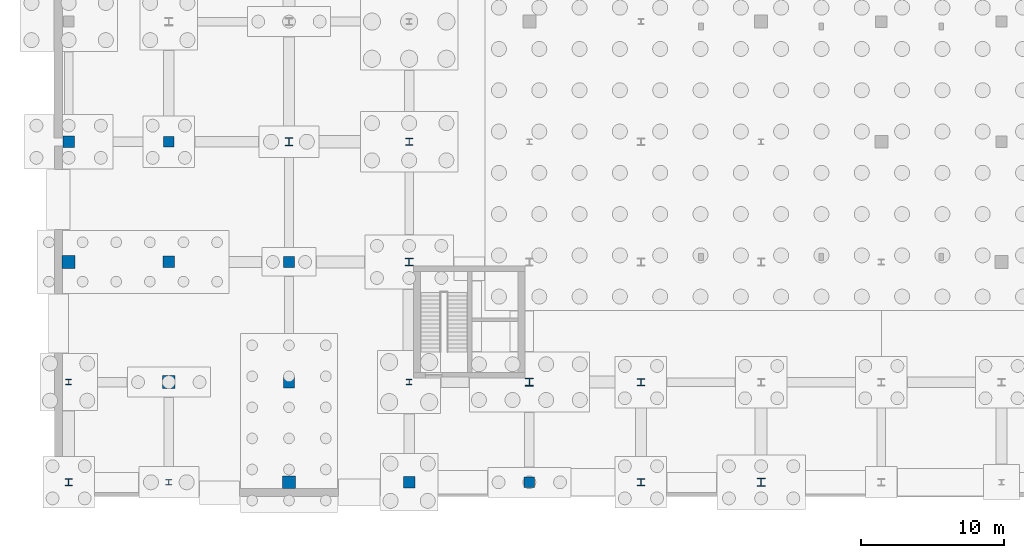
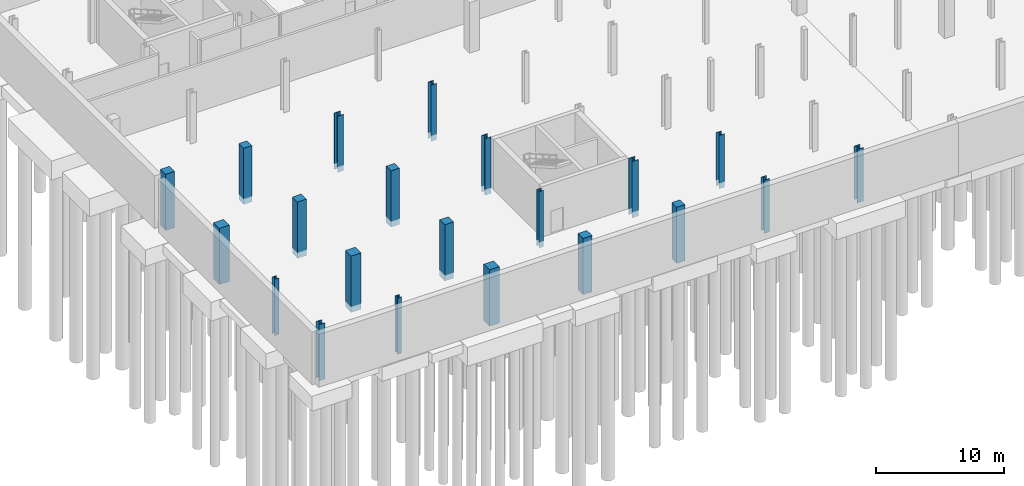
# One storey, part 10 of 32: 21 columns.
"""IFC4 building model written with IfcOpenShell, lengths in metres."""

from ifc_helpers import new_model, si_unit, direction, frame, origin_with_axes, origin_2d_with_axis, place, context, subcontext, project, spatial, rectangle, i_section, extrude, material, material_profile, profile_set, type_object, element, save


model = new_model("IFC4")

# Units and contexts
model_context = context("Model", 3, precision=1e-05, world=origin_with_axes(), true_north=direction((0.0, 1.0)))
body_context = subcontext(model_context, "Body", "Model", "MODEL_VIEW")
ifc_project = project(units=[si_unit("LENGTHUNIT", "METRE"), si_unit("AREAUNIT", "SQUARE_METRE"), si_unit("VOLUMEUNIT", "CUBIC_METRE"), si_unit("PLANEANGLEUNIT", "RADIAN"), si_unit("MASSUNIT", "GRAM", prefix="KILO"), si_unit("THERMODYNAMICTEMPERATUREUNIT", "KELVIN")], contexts=[model_context])

# Site, building, storey
site_placement = place(None, origin_with_axes())
site = spatial("IfcSite", under=ifc_project, at=site_placement, CompositionType="ELEMENT")
building_placement = place(site_placement, origin_with_axes())
building = spatial("IfcBuilding", under=site, at=building_placement, Name="Montbau Bow Law Courts", CompositionType="ELEMENT")
storey_placement = place(building_placement, frame((0.0, 0.0, -4.8), z_axis=(0.0, 0.0, 1.0), x_axis=(1.0, 0.0, 0.0)))
storey = spatial("IfcBuildingStorey", under=building, at=storey_placement, Name="B1", CompositionType="ELEMENT", Elevation=-4.8)

# Columns
ifc_material_1 = material(Name="Concrete CSA A23.1 f'c 45 MPa", Category="concrete")
ifc_material_profile_1 = material_profile(ifc_material_1, rectangle(XDim=0.9, YDim=0.9, at=origin_2d_with_axis()), Name="RC900X900", Category="Main", Priority=0)
ifc_profile_set_1 = profile_set([ifc_material_profile_1], Name="Concrete CSA A23.1 f'c 45 MPa")
column_type_1 = type_object("IfcColumnType", Name="C-RC-01", PredefinedType="COLUMN", material=ifc_profile_set_1)
for number, where, z_axis, x_axis, name in (
    (1, (6.8, 22.2, -5.35), (0.0, 0.0, 1.0), (1.0, 0.0, 0.0), "C-B1-S003:col2_0003"),
    (2, (13.8, 13.8, -5.35), (0.0, 0.0, 1.0), (1.0, 0.0, 0.0), "C-B1-S009:col2_0009"),
    (3, (22.2, 6.8, -5.35), (0.0, 0.0, 1.0), (1.0, 0.0, 0.0), "C-B1-S015:col2_0015"),
):
    element("IfcColumn", number, at=place(None, frame(where, z_axis=z_axis, x_axis=x_axis)), inside=storey, type_object=column_type_1, Name=name, PredefinedType="COLUMN", context=body_context, shape_type="SweptSolid", body=[
        extrude(rectangle(XDim=0.9, YDim=0.9, at=origin_2d_with_axis()), origin_with_axes(), (0.0, 0.0, 1.0), 5.35),
    ])
ifc_material_profile_2 = material_profile(ifc_material_1, rectangle(XDim=0.8, YDim=0.8, at=origin_2d_with_axis()), Name="RC800X800", Category="Main", Priority=0)
ifc_profile_set_2 = profile_set([ifc_material_profile_2], Name="Concrete CSA A23.1 f'c 45 MPa")
column_type_2 = type_object("IfcColumnType", Name="C-RC-02", PredefinedType="COLUMN", material=ifc_profile_set_2)
for number, where, z_axis, x_axis, name in (
    (4, (6.8, 30.6, -5.35), (0.0, 0.0, 1.0), (1.0, 0.0, 0.0), "C-B1-S004:col2_0004"),
    (5, (13.8, 22.2, -5.35), (0.0, 0.0, 1.0), (1.0, 0.0, 0.0), "C-B1-S010:col2_0010"),
    (6, (22.2, 13.8, -5.35), (0.0, 0.0, 1.0), (1.0, 0.0, 0.0), "C-B1-S016:col2_0016"),
    (7, (30.6, 6.8, -5.35), (0.0, 0.0, 1.0), (1.0, 0.0, 0.0), "C-B1-S022:col2_0022"),
):
    element("IfcColumn", number, at=place(None, frame(where, z_axis=z_axis, x_axis=x_axis)), inside=storey, type_object=column_type_2, Name=name, PredefinedType="COLUMN", context=body_context, shape_type="SweptSolid", body=[
        extrude(rectangle(XDim=0.8, YDim=0.8, at=origin_2d_with_axis()), origin_with_axes(), (0.0, 0.0, 1.0), 5.35),
    ])
ifc_material_2 = material(Name="Concrete CSA A23.1 f'c 40 MPa", Category="concrete")
ifc_material_profile_3 = material_profile(ifc_material_2, rectangle(XDim=0.75, YDim=0.75, at=origin_2d_with_axis()), Name="RC750X750", Category="Main", Priority=0)
ifc_profile_set_3 = profile_set([ifc_material_profile_3], Name="Concrete CSA A23.1 f'c 40 MPa")
column_type_3 = type_object("IfcColumnType", Name="C-RC-03", PredefinedType="COLUMN", material=ifc_profile_set_3)
for number, where, z_axis, x_axis, name in (
    (8, (13.8, 30.6, -5.35), (0.0, 0.0, 1.0), (1.0, 0.0, 0.0), "C-B1-S011:col2_0011"),
    (9, (22.2, 22.2, -5.35), (0.0, 0.0, 1.0), (1.0, 0.0, 0.0), "C-B1-S017:col2_0017"),
    (10, (39.0, 6.8, -5.35), (0.0, 0.0, 1.0), (1.0, 0.0, 0.0), "C-B1-S029:col2_0029"),
):
    element("IfcColumn", number, at=place(None, frame(where, z_axis=z_axis, x_axis=x_axis)), inside=storey, type_object=column_type_3, Name=name, PredefinedType="COLUMN", context=body_context, shape_type="SweptSolid", body=[
        extrude(rectangle(XDim=0.75, YDim=0.75, at=origin_2d_with_axis()), origin_with_axes(), (0.0, 0.0, 1.0), 5.35),
    ])
ifc_material_3 = material(Name="Steel CSA G40.21 Grade 350W (350 MPa)", Category="steel")
ifc_material_profile_4 = material_profile(ifc_material_3, i_section(OverallWidth=0.55, OverallDepth=0.55, WebThickness=0.025, FlangeThickness=0.042, at=origin_2d_with_axis()), Name="WWF550X420", Category="Main", Priority=0)
ifc_profile_set_4 = profile_set([ifc_material_profile_4], Name="Steel CSA G40.21 Grade 350W (350 MPa)")
column_type_4 = type_object("IfcColumnType", Name="C-STL-01", PredefinedType="COLUMN", material=ifc_profile_set_4)
for number, where, z_axis, x_axis, name in (
    (11, (22.2, 30.6, -5.35), (0.0, 0.0, 1.0), (1.0, 0.0, 0.0), "C-B1-S018:col2_0018"),
    (12, (30.6, 22.2, -5.35), (0.0, 0.0, 1.0), (1.0, 0.0, 0.0), "C-B1-S024:col2_0024"),
    (13, (39.0, 13.8, -5.35), (0.0, 0.0, 1.0), (1.0, 0.0, 0.0), "C-B1-S030:col2_0030"),
):
    element("IfcColumn", number, at=place(None, frame(where, z_axis=z_axis, x_axis=x_axis)), inside=storey, type_object=column_type_4, Name=name, PredefinedType="COLUMN", context=body_context, shape_type="SweptSolid", body=[
        extrude(i_section(OverallWidth=0.55, OverallDepth=0.55, WebThickness=0.025, FlangeThickness=0.042, at=origin_2d_with_axis()), origin_with_axes(), (0.0, 0.0, 1.0), 5.35),
    ])
column_placement = place(None, frame((55.2, 6.8, -5.35), z_axis=(0.0, 0.0, 1.0), x_axis=(1.0, 0.0, 0.0)))
element("IfcColumn", 14, at=column_placement, inside=storey, type_object=column_type_4, Name="C-B1-S042:col2_0042", PredefinedType="COLUMN", context=body_context, shape_type="SweptSolid", body=[
    extrude(i_section(OverallWidth=0.55, OverallDepth=0.55, WebThickness=0.025, FlangeThickness=0.042, at=origin_2d_with_axis()), origin_with_axes(), (0.0, 0.0, 1.0), 5.06),
])
ifc_material_profile_5 = material_profile(ifc_material_3, i_section(OverallWidth=0.5, OverallDepth=0.5, WebThickness=0.022, FlangeThickness=0.036, at=origin_2d_with_axis()), Name="WWF500X343", Category="Main", Priority=0)
ifc_profile_set_5 = profile_set([ifc_material_profile_5], Name="Steel CSA G40.21 Grade 350W (350 MPa)")
column_type_5 = type_object("IfcColumnType", Name="C-STL-02", PredefinedType="COLUMN", material=ifc_profile_set_5)
for number, where, z_axis, x_axis, name in (
    (15, (6.8, 6.8, -5.35), (0.0, 0.0, 1.0), (1.0, 0.0, 0.0), "C-B1-S001:col2_0001"),
    (16, (30.6, 30.6, -5.35), (0.0, 0.0, 1.0), (1.0, 0.0, 0.0), "C-B1-S025:col2_0025"),
):
    element("IfcColumn", number, at=place(None, frame(where, z_axis=z_axis, x_axis=x_axis)), inside=storey, type_object=column_type_5, Name=name, PredefinedType="COLUMN", context=body_context, shape_type="SweptSolid", body=[
        extrude(i_section(OverallWidth=0.5, OverallDepth=0.5, WebThickness=0.022, FlangeThickness=0.036, at=origin_2d_with_axis()), origin_with_axes(), (0.0, 0.0, 1.0), 5.35),
    ])
for number, where, z_axis, x_axis, name in (
    (17, (46.8, 6.8, -5.35), (0.0, 0.0, 1.0), (1.0, 0.0, 0.0), "C-PLZ-B1-05:col2_1108"),
    (18, (46.8, 13.8, -5.35), (0.0, 0.0, 1.0), (1.0, 0.0, 0.0), "C-PLZ-B1-06:col2_1109"),
):
    element("IfcColumn", number, at=place(None, frame(where, z_axis=z_axis, x_axis=x_axis)), inside=storey, type_object=column_type_5, Name=name, PredefinedType="COLUMN", context=body_context, shape_type="SweptSolid", body=[
        extrude(i_section(OverallWidth=0.5, OverallDepth=0.5, WebThickness=0.022, FlangeThickness=0.036, at=origin_2d_with_axis()), origin_with_axes(), (0.0, 0.0, 1.0), 5.06),
    ])
ifc_material_profile_6 = material_profile(ifc_material_3, i_section(OverallWidth=0.395, OverallDepth=0.38, WebThickness=0.0189, FlangeThickness=0.0302, at=origin_2d_with_axis()), Name="W360X237", Category="Main", Priority=0)
ifc_profile_set_6 = profile_set([ifc_material_profile_6], Name="Steel CSA G40.21 Grade 350W (350 MPa)")
column_type_6 = type_object("IfcColumnType", Name="C-STL-03", PredefinedType="COLUMN", material=ifc_profile_set_6)
for number, where, z_axis, x_axis, name in (
    (19, (6.8, 13.8, -5.35), (0.0, 0.0, 1.0), (1.0, 0.0, 0.0), "C-B1-S002:col2_0002"),
    (20, (13.8, 6.8, -5.35), (0.0, 0.0, 1.0), (1.0, 0.0, 0.0), "C-B1-S008:col2_0008"),
    (21, (30.6, 13.8, -5.35), (0.0, 0.0, 1.0), (1.0, 0.0, 0.0), "C-B1-S023:col2_0023"),
):
    element("IfcColumn", number, at=place(None, frame(where, z_axis=z_axis, x_axis=x_axis)), inside=storey, type_object=column_type_6, Name=name, PredefinedType="COLUMN", context=body_context, shape_type="SweptSolid", body=[
        extrude(i_section(OverallWidth=0.395, OverallDepth=0.38, WebThickness=0.0189, FlangeThickness=0.0302, at=origin_2d_with_axis()), origin_with_axes(), (0.0, 0.0, 1.0), 5.35),
    ])

save(model, "model.ifc")
